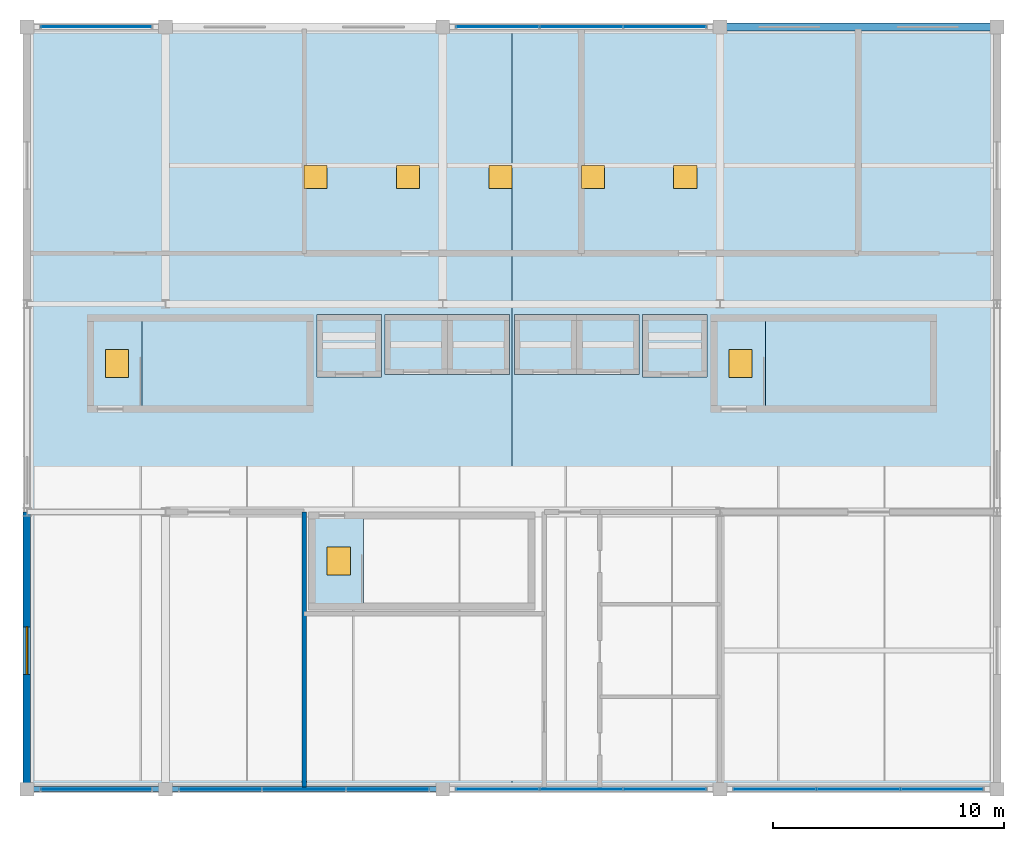
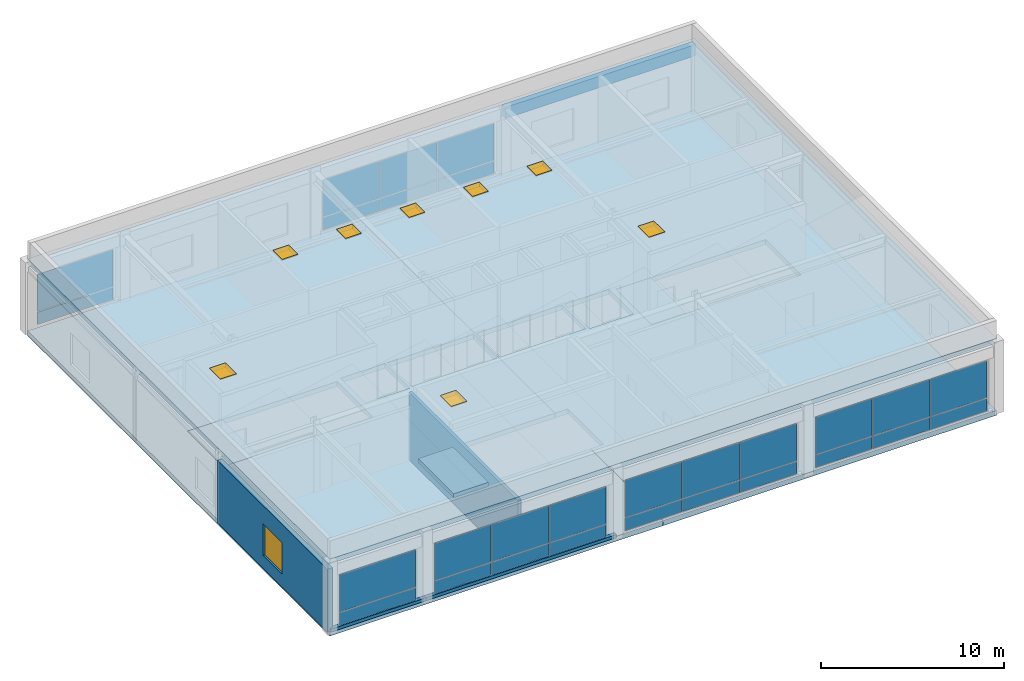
# One storey, part 12 of 16: 28 plates, 8 doors, 6 slabs, 4 walls, 1 beam, 1 window, 9 openings, 6 elements without a shape of their own.
"""IFC4 building model written with IfcOpenShell, lengths in metres."""

from ifc_helpers import new_model, si_unit, direction, frame, frame_2d, origin, origin_2d, place, context, subcontext, project, spatial, polyline, rectangle, outline, extrude, material, layer, layer_set, material_profile, profile_set, type_object, element, fill, aggregate, save


model = new_model("IFC4")

# Units and contexts
model_context = context("Model", 3, precision=1e-05, world=origin(), true_north=direction((0.0, 1.0)))
body_context = subcontext(model_context, "Body", "Model", "MODEL_VIEW")
ifc_project = project(units=[si_unit("LENGTHUNIT", "METRE"), si_unit("AREAUNIT", "SQUARE_METRE"), si_unit("VOLUMEUNIT", "CUBIC_METRE"), si_unit("PLANEANGLEUNIT", "RADIAN"), si_unit("MASSUNIT", "GRAM", prefix="KILO")], contexts=[model_context])

# Site, building, storey
site_placement = place(None, origin())
site = spatial("IfcSite", under=ifc_project, at=site_placement, CompositionType="ELEMENT")
building_placement = place(site_placement, origin())
building = spatial("IfcBuilding", under=site, at=building_placement, Name="Kaldorvane Square Convention Centre", CompositionType="ELEMENT")
storey_placement = place(building_placement, frame((0.0, 0.0, 70.80000305175781)))
storey = spatial("IfcBuildingStorey", under=building, at=storey_placement, Name="L17", CompositionType="ELEMENT", Elevation=70.80000305175781)

# Beam
ifc_material_1 = material(Name="Concrete f'c = 42 MPa (Normalweight)", Category="concrete")
ifc_material_profile = material_profile(ifc_material_1, rectangle(XDim=0.350006103515625, YDim=0.75, at=origin_2d()), Name="RCSP750X350")
ifc_profile_set = profile_set([ifc_material_profile], Name="Concrete f'c = 42 MPa (Normalweight)")
beam_type = type_object("IfcBeamType", Name="BM-SP-RC750", PredefinedType="SPANDREL", material=ifc_profile_set)
beam_placement = place(storey_placement, frame((66.0, 117.0, 4.1009979248046875), z_axis=(1.0, 0.0, 0.0), x_axis=(0.0, 1.0, 0.0)))
element("IfcBeam", 1, at=beam_placement, inside=storey, type_object=beam_type, Name="Perimeter Spandrel (L17)", PredefinedType="SPANDREL", context=body_context, shape_type="SweptSolid", body=[
    extrude(rectangle(XDim=0.350006103515625, YDim=0.75, at=origin_2d()), origin(), (0.0, 0.0, 1.0), 12.0),
])

# Curtain wall, plates
ifc_material_2 = material(Name="Anodized Aluminum and Low-E Insulated Glazing", Category="aluminium")
curtain_wall_type_1 = type_object("IfcCurtainWallType", Name="CW-UNI-PNT-06", PredefinedType="USERDEFINED", material=ifc_material_2)
curtain_wall_1_placement = place(storey_placement, origin())
curtain_wall_1 = element("IfcCurtainWall", 2, at=curtain_wall_1_placement, inside=storey, type_object=curtain_wall_type_1, Name="Curtain Wall CW-13 (L17)", ObjectType="UNITISED GLAZING", PredefinedType="USERDEFINED")
ifc_layer_1 = layer(ifc_material_2, 0.0420074462890625)
ifc_layer_set_1 = layer_set([ifc_layer_1], Name="Anodized Aluminum and Low-E Insulated Glazing")
plate_type = type_object("IfcPlateType", Name="CW-PNL-08", PredefinedType="CURTAIN_PANEL", material=ifc_layer_set_1)
plate_1_placement = place(storey_placement, frame((39.0, 84.0, 0.2050018310546875), z_axis=(0.0, 0.0, 1.0), x_axis=(1.0, 0.0, 0.0)))
plate_1 = element("IfcPlate", 3, at=plate_1_placement, type_object=plate_type, Name="CW-13 panel 1.1", PredefinedType="CURTAIN_PANEL", context=body_context, shape_type="SweptSolid", body=[
    extrude(rectangle(XDim=4.779998779296875, YDim=0.0420074462890625, at=origin_2d()), origin(), (0.0, 0.0, 1.0), 0.8175048828125),
])
plate_2_placement = place(storey_placement, frame((39.0, 84.0, 1.0774993896484375), z_axis=(0.0, 0.0, 1.0), x_axis=(1.0, 0.0, 0.0)))
plate_2 = element("IfcPlate", 4, at=plate_2_placement, type_object=plate_type, Name="CW-13 panel 1.2", PredefinedType="CURTAIN_PANEL", context=body_context, shape_type="SweptSolid", body=[
    extrude(rectangle(XDim=4.779998779296875, YDim=0.0420074462890625, at=origin_2d()), origin(), (0.0, 0.0, 1.0), 2.467498779296875),
])
aggregate(curtain_wall_1, [plate_1, plate_2])

curtain_wall_type_2 = type_object("IfcCurtainWallType", Name="CW-UNI-PNT-12", PredefinedType="USERDEFINED", material=ifc_material_2)
curtain_wall_2_placement = place(storey_placement, origin())
curtain_wall_2 = element("IfcCurtainWall", 5, at=curtain_wall_2_placement, inside=storey, type_object=curtain_wall_type_2, Name="Curtain Wall CW-12 (L17)", ObjectType="UNITISED GLAZING", PredefinedType="USERDEFINED")
plate_3_placement = place(storey_placement, frame((44.38166809082031, 84.0, 0.2050018310546875), z_axis=(0.0, 0.0, 1.0), x_axis=(1.0, 0.0, 0.0)))
plate_3 = element("IfcPlate", 6, at=plate_3_placement, type_object=plate_type, Name="CW-12 panel 1.1", PredefinedType="CURTAIN_PANEL", context=body_context, shape_type="SweptSolid", body=[
    extrude(rectangle(XDim=3.5433349609375, YDim=0.0420074462890625, at=origin_2d()), origin(), (0.0, 0.0, 1.0), 0.8175048828125),
])
plate_4_placement = place(storey_placement, frame((44.38166809082031, 84.0, 1.0774993896484375), z_axis=(0.0, 0.0, 1.0), x_axis=(1.0, 0.0, 0.0)))
plate_4 = element("IfcPlate", 7, at=plate_4_placement, type_object=plate_type, Name="CW-12 panel 1.2", PredefinedType="CURTAIN_PANEL", context=body_context, shape_type="SweptSolid", body=[
    extrude(rectangle(XDim=3.5433349609375, YDim=0.0420074462890625, at=origin_2d()), origin(), (0.0, 0.0, 1.0), 2.467498779296875),
])
plate_5_placement = place(storey_placement, frame((48.0, 84.0, 0.2050018310546875), z_axis=(0.0, 0.0, 1.0), x_axis=(1.0, 0.0, 0.0)))
plate_5 = element("IfcPlate", 8, at=plate_5_placement, type_object=plate_type, Name="CW-12 panel 2.1", PredefinedType="CURTAIN_PANEL", context=body_context, shape_type="SweptSolid", body=[
    extrude(rectangle(XDim=3.573333740234375, YDim=0.0420074462890625, at=origin_2d()), origin(), (0.0, 0.0, 1.0), 0.8175048828125),
])
plate_6_placement = place(storey_placement, frame((48.0, 84.0, 1.0774993896484375), z_axis=(0.0, 0.0, 1.0), x_axis=(1.0, 0.0, 0.0)))
plate_6 = element("IfcPlate", 9, at=plate_6_placement, type_object=plate_type, Name="CW-12 panel 2.2", PredefinedType="CURTAIN_PANEL", context=body_context, shape_type="SweptSolid", body=[
    extrude(rectangle(XDim=3.573333740234375, YDim=0.0420074462890625, at=origin_2d()), origin(), (0.0, 0.0, 1.0), 2.467498779296875),
])
plate_7_placement = place(storey_placement, frame((51.61833190917969, 84.0, 0.2050018310546875), z_axis=(0.0, 0.0, 1.0), x_axis=(1.0, 0.0, 0.0)))
plate_7 = element("IfcPlate", 10, at=plate_7_placement, type_object=plate_type, Name="CW-12 panel 3.1", PredefinedType="CURTAIN_PANEL", context=body_context, shape_type="SweptSolid", body=[
    extrude(rectangle(XDim=3.5433349609375, YDim=0.0420074462890625, at=origin_2d()), origin(), (0.0, 0.0, 1.0), 0.8175048828125),
])
plate_8_placement = place(storey_placement, frame((51.61833190917969, 84.0, 1.0774993896484375), z_axis=(0.0, 0.0, 1.0), x_axis=(1.0, 0.0, 0.0)))
plate_8 = element("IfcPlate", 11, at=plate_8_placement, type_object=plate_type, Name="CW-12 panel 3.2", PredefinedType="CURTAIN_PANEL", context=body_context, shape_type="SweptSolid", body=[
    extrude(rectangle(XDim=3.5433349609375, YDim=0.0420074462890625, at=origin_2d()), origin(), (0.0, 0.0, 1.0), 2.467498779296875),
])
aggregate(curtain_wall_2, [plate_3, plate_4, plate_5, plate_6, plate_7, plate_8])

curtain_wall_3_placement = place(storey_placement, origin())
curtain_wall_3 = element("IfcCurtainWall", 12, at=curtain_wall_3_placement, inside=storey, type_object=curtain_wall_type_2, Name="Curtain Wall CW-12 (L17)", ObjectType="UNITISED GLAZING", PredefinedType="USERDEFINED")
plate_9_placement = place(storey_placement, frame((56.38166809082031, 84.0, 0.2050018310546875), z_axis=(0.0, 0.0, 1.0), x_axis=(1.0, 0.0, 0.0)))
plate_9 = element("IfcPlate", 13, at=plate_9_placement, type_object=plate_type, Name="CW-12 panel 1.1", PredefinedType="CURTAIN_PANEL", context=body_context, shape_type="SweptSolid", body=[
    extrude(rectangle(XDim=3.5433349609375, YDim=0.0420074462890625, at=origin_2d()), origin(), (0.0, 0.0, 1.0), 0.8175048828125),
])
plate_10_placement = place(storey_placement, frame((56.38166809082031, 84.0, 1.0774993896484375), z_axis=(0.0, 0.0, 1.0), x_axis=(1.0, 0.0, 0.0)))
plate_10 = element("IfcPlate", 14, at=plate_10_placement, type_object=plate_type, Name="CW-12 panel 1.2", PredefinedType="CURTAIN_PANEL", context=body_context, shape_type="SweptSolid", body=[
    extrude(rectangle(XDim=3.5433349609375, YDim=0.0420074462890625, at=origin_2d()), origin(), (0.0, 0.0, 1.0), 2.467498779296875),
])
plate_11_placement = place(storey_placement, frame((60.0, 84.0, 0.2050018310546875), z_axis=(0.0, 0.0, 1.0), x_axis=(1.0, 0.0, 0.0)))
plate_11 = element("IfcPlate", 15, at=plate_11_placement, type_object=plate_type, Name="CW-12 panel 2.1", PredefinedType="CURTAIN_PANEL", context=body_context, shape_type="SweptSolid", body=[
    extrude(rectangle(XDim=3.573333740234375, YDim=0.0420074462890625, at=origin_2d()), origin(), (0.0, 0.0, 1.0), 0.8175048828125),
])
plate_12_placement = place(storey_placement, frame((60.0, 84.0, 1.0774993896484375), z_axis=(0.0, 0.0, 1.0), x_axis=(1.0, 0.0, 0.0)))
plate_12 = element("IfcPlate", 16, at=plate_12_placement, type_object=plate_type, Name="CW-12 panel 2.2", PredefinedType="CURTAIN_PANEL", context=body_context, shape_type="SweptSolid", body=[
    extrude(rectangle(XDim=3.573333740234375, YDim=0.0420074462890625, at=origin_2d()), origin(), (0.0, 0.0, 1.0), 2.467498779296875),
])
plate_13_placement = place(storey_placement, frame((63.61833190917969, 84.0, 0.2050018310546875), z_axis=(0.0, 0.0, 1.0), x_axis=(1.0, 0.0, 0.0)))
plate_13 = element("IfcPlate", 17, at=plate_13_placement, type_object=plate_type, Name="CW-12 panel 3.1", PredefinedType="CURTAIN_PANEL", context=body_context, shape_type="SweptSolid", body=[
    extrude(rectangle(XDim=3.5433349609375, YDim=0.0420074462890625, at=origin_2d()), origin(), (0.0, 0.0, 1.0), 0.8175048828125),
])
plate_14_placement = place(storey_placement, frame((63.61833190917969, 84.0, 1.0774993896484375), z_axis=(0.0, 0.0, 1.0), x_axis=(1.0, 0.0, 0.0)))
plate_14 = element("IfcPlate", 18, at=plate_14_placement, type_object=plate_type, Name="CW-12 panel 3.2", PredefinedType="CURTAIN_PANEL", context=body_context, shape_type="SweptSolid", body=[
    extrude(rectangle(XDim=3.5433349609375, YDim=0.0420074462890625, at=origin_2d()), origin(), (0.0, 0.0, 1.0), 2.467498779296875),
])
aggregate(curtain_wall_3, [plate_9, plate_10, plate_11, plate_12, plate_13, plate_14])

curtain_wall_4_placement = place(storey_placement, origin())
curtain_wall_4 = element("IfcCurtainWall", 19, at=curtain_wall_4_placement, inside=storey, type_object=curtain_wall_type_2, Name="Curtain Wall CW-12 (L17)", ObjectType="UNITISED GLAZING", PredefinedType="USERDEFINED")
plate_15_placement = place(storey_placement, frame((68.38166809082031, 84.0, 0.2050018310546875), z_axis=(0.0, 0.0, 1.0), x_axis=(1.0, 0.0, 0.0)))
plate_15 = element("IfcPlate", 20, at=plate_15_placement, type_object=plate_type, Name="CW-12 panel 1.1", PredefinedType="CURTAIN_PANEL", context=body_context, shape_type="SweptSolid", body=[
    extrude(rectangle(XDim=3.5433349609375, YDim=0.0420074462890625, at=origin_2d()), origin(), (0.0, 0.0, 1.0), 0.8175048828125),
])
plate_16_placement = place(storey_placement, frame((68.38166809082031, 84.0, 1.0774993896484375), z_axis=(0.0, 0.0, 1.0), x_axis=(1.0, 0.0, 0.0)))
plate_16 = element("IfcPlate", 21, at=plate_16_placement, type_object=plate_type, Name="CW-12 panel 1.2", PredefinedType="CURTAIN_PANEL", context=body_context, shape_type="SweptSolid", body=[
    extrude(rectangle(XDim=3.5433349609375, YDim=0.0420074462890625, at=origin_2d()), origin(), (0.0, 0.0, 1.0), 2.467498779296875),
])
plate_17_placement = place(storey_placement, frame((72.0, 84.0, 0.2050018310546875), z_axis=(0.0, 0.0, 1.0), x_axis=(1.0, 0.0, 0.0)))
plate_17 = element("IfcPlate", 22, at=plate_17_placement, type_object=plate_type, Name="CW-12 panel 2.1", PredefinedType="CURTAIN_PANEL", context=body_context, shape_type="SweptSolid", body=[
    extrude(rectangle(XDim=3.573333740234375, YDim=0.0420074462890625, at=origin_2d()), origin(), (0.0, 0.0, 1.0), 0.8175048828125),
])
plate_18_placement = place(storey_placement, frame((72.0, 84.0, 1.0774993896484375), z_axis=(0.0, 0.0, 1.0), x_axis=(1.0, 0.0, 0.0)))
plate_18 = element("IfcPlate", 23, at=plate_18_placement, type_object=plate_type, Name="CW-12 panel 2.2", PredefinedType="CURTAIN_PANEL", context=body_context, shape_type="SweptSolid", body=[
    extrude(rectangle(XDim=3.573333740234375, YDim=0.0420074462890625, at=origin_2d()), origin(), (0.0, 0.0, 1.0), 2.467498779296875),
])
plate_19_placement = place(storey_placement, frame((75.61833190917969, 84.0, 0.2050018310546875), z_axis=(0.0, 0.0, 1.0), x_axis=(1.0, 0.0, 0.0)))
plate_19 = element("IfcPlate", 24, at=plate_19_placement, type_object=plate_type, Name="CW-12 panel 3.1", PredefinedType="CURTAIN_PANEL", context=body_context, shape_type="SweptSolid", body=[
    extrude(rectangle(XDim=3.5433349609375, YDim=0.0420074462890625, at=origin_2d()), origin(), (0.0, 0.0, 1.0), 0.8175048828125),
])
plate_20_placement = place(storey_placement, frame((75.61833190917969, 84.0, 1.0774993896484375), z_axis=(0.0, 0.0, 1.0), x_axis=(1.0, 0.0, 0.0)))
plate_20 = element("IfcPlate", 25, at=plate_20_placement, type_object=plate_type, Name="CW-12 panel 3.2", PredefinedType="CURTAIN_PANEL", context=body_context, shape_type="SweptSolid", body=[
    extrude(rectangle(XDim=3.5433349609375, YDim=0.0420074462890625, at=origin_2d()), origin(), (0.0, 0.0, 1.0), 2.467498779296875),
])
aggregate(curtain_wall_4, [plate_15, plate_16, plate_17, plate_18, plate_19, plate_20])

curtain_wall_5_placement = place(storey_placement, origin())
curtain_wall_5 = element("IfcCurtainWall", 26, at=curtain_wall_5_placement, inside=storey, type_object=curtain_wall_type_1, Name="Curtain Wall CW-13 (L17)", ObjectType="UNITISED GLAZING", PredefinedType="USERDEFINED")
plate_21_placement = place(storey_placement, frame((39.0, 117.0, 0.2050018310546875), z_axis=(0.0, 0.0, 1.0), x_axis=(-1.0, 0.0, 0.0)))
plate_21 = element("IfcPlate", 27, at=plate_21_placement, type_object=plate_type, Name="CW-13 panel 1.1", PredefinedType="CURTAIN_PANEL", context=body_context, shape_type="SweptSolid", body=[
    extrude(rectangle(XDim=4.779998779296875, YDim=0.0420074462890625, at=origin_2d()), origin(), (0.0, 0.0, 1.0), 0.8175048828125),
])
plate_22_placement = place(storey_placement, frame((39.0, 117.0, 1.0774993896484375), z_axis=(0.0, 0.0, 1.0), x_axis=(-1.0, 0.0, 0.0)))
plate_22 = element("IfcPlate", 28, at=plate_22_placement, type_object=plate_type, Name="CW-13 panel 1.2", PredefinedType="CURTAIN_PANEL", context=body_context, shape_type="SweptSolid", body=[
    extrude(rectangle(XDim=4.779998779296875, YDim=0.0420074462890625, at=origin_2d()), origin(), (0.0, 0.0, 1.0), 2.467498779296875),
])
aggregate(curtain_wall_5, [plate_21, plate_22])

curtain_wall_6_placement = place(storey_placement, origin())
curtain_wall_6 = element("IfcCurtainWall", 29, at=curtain_wall_6_placement, inside=storey, type_object=curtain_wall_type_2, Name="Curtain Wall CW-12 (L17)", ObjectType="UNITISED GLAZING", PredefinedType="USERDEFINED")
plate_23_placement = place(storey_placement, frame((63.61833190917969, 117.0, 0.2050018310546875), z_axis=(0.0, 0.0, 1.0), x_axis=(-1.0, 0.0, 0.0)))
plate_23 = element("IfcPlate", 30, at=plate_23_placement, type_object=plate_type, Name="CW-12 panel 1.1", PredefinedType="CURTAIN_PANEL", context=body_context, shape_type="SweptSolid", body=[
    extrude(rectangle(XDim=3.5433349609375, YDim=0.0420074462890625, at=origin_2d()), origin(), (0.0, 0.0, 1.0), 0.8175048828125),
])
plate_24_placement = place(storey_placement, frame((63.61833190917969, 117.0, 1.0774993896484375), z_axis=(0.0, 0.0, 1.0), x_axis=(-1.0, 0.0, 0.0)))
plate_24 = element("IfcPlate", 31, at=plate_24_placement, type_object=plate_type, Name="CW-12 panel 1.2", PredefinedType="CURTAIN_PANEL", context=body_context, shape_type="SweptSolid", body=[
    extrude(rectangle(XDim=3.5433349609375, YDim=0.0420074462890625, at=origin_2d()), origin(), (0.0, 0.0, 1.0), 2.467498779296875),
])
plate_25_placement = place(storey_placement, frame((60.0, 117.0, 0.2050018310546875), z_axis=(0.0, 0.0, 1.0), x_axis=(-1.0, 0.0, 0.0)))
plate_25 = element("IfcPlate", 32, at=plate_25_placement, type_object=plate_type, Name="CW-12 panel 2.1", PredefinedType="CURTAIN_PANEL", context=body_context, shape_type="SweptSolid", body=[
    extrude(rectangle(XDim=3.573333740234375, YDim=0.0420074462890625, at=origin_2d()), origin(), (0.0, 0.0, 1.0), 0.8175048828125),
])
plate_26_placement = place(storey_placement, frame((60.0, 117.0, 1.0774993896484375), z_axis=(0.0, 0.0, 1.0), x_axis=(-1.0, 0.0, 0.0)))
plate_26 = element("IfcPlate", 33, at=plate_26_placement, type_object=plate_type, Name="CW-12 panel 2.2", PredefinedType="CURTAIN_PANEL", context=body_context, shape_type="SweptSolid", body=[
    extrude(rectangle(XDim=3.573333740234375, YDim=0.0420074462890625, at=origin_2d()), origin(), (0.0, 0.0, 1.0), 2.467498779296875),
])
plate_27_placement = place(storey_placement, frame((56.38166809082031, 117.0, 0.2050018310546875), z_axis=(0.0, 0.0, 1.0), x_axis=(-1.0, 0.0, 0.0)))
plate_27 = element("IfcPlate", 34, at=plate_27_placement, type_object=plate_type, Name="CW-12 panel 3.1", PredefinedType="CURTAIN_PANEL", context=body_context, shape_type="SweptSolid", body=[
    extrude(rectangle(XDim=3.5433349609375, YDim=0.0420074462890625, at=origin_2d()), origin(), (0.0, 0.0, 1.0), 0.8175048828125),
])
plate_28_placement = place(storey_placement, frame((56.38166809082031, 117.0, 1.0774993896484375), z_axis=(0.0, 0.0, 1.0), x_axis=(-1.0, 0.0, 0.0)))
plate_28 = element("IfcPlate", 35, at=plate_28_placement, type_object=plate_type, Name="CW-12 panel 3.2", PredefinedType="CURTAIN_PANEL", context=body_context, shape_type="SweptSolid", body=[
    extrude(rectangle(XDim=3.5433349609375, YDim=0.0420074462890625, at=origin_2d()), origin(), (0.0, 0.0, 1.0), 2.467498779296875),
])
aggregate(curtain_wall_6, [plate_23, plate_24, plate_25, plate_26, plate_27, plate_28])

# Slabs
ifc_layer_2 = layer(ifc_material_1, 0.279998779296875)
ifc_layer_set_2 = layer_set([ifc_layer_2], Name="Concrete f'c = 42 MPa (Normalweight)")
slab_type_1 = type_object("IfcSlabType", Name="SL-FLND-280", PredefinedType="FLOOR", material=ifc_layer_set_2)
slab_1_placement = place(storey_placement, frame((0.0, 0.0, -0.279998779296875)))
element("IfcSlab", 36, at=slab_1_placement, inside=storey, type_object=slab_type_1, Name="Tower Exit Stair T1 Floor Landing (L17)", PredefinedType="FLOOR", context=body_context, shape_type="SweptSolid", body=[
    extrude(outline(polyline([(38.779998779296875, 100.49000549316406), (40.97999572753906, 100.49000549316406), (40.97999572753906, 104.3699951171875), (38.779998779296875, 104.3699951171875), (38.779998779296875, 100.49000549316406)])), origin(), (0.0, 0.0, 1.0), 0.279998779296875),
])
slab_2_placement = place(storey_placement, frame((0.0, 0.0, -0.279998779296875)))
element("IfcSlab", 37, at=slab_2_placement, inside=storey, type_object=slab_type_1, Name="Tower Exit Stair T2 Floor Landing (L17)", PredefinedType="FLOOR", context=body_context, shape_type="SweptSolid", body=[
    extrude(outline(polyline([(65.77999877929688, 100.49000549316406), (67.97999572753906, 100.49000549316406), (67.97999572753906, 104.3699951171875), (65.77999877929688, 104.3699951171875), (65.77999877929688, 100.49000549316406)])), origin(), (0.0, 0.0, 1.0), 0.279998779296875),
])
slab_3_placement = place(storey_placement, frame((0.0, 0.0, -0.279998779296875)))
element("IfcSlab", 38, at=slab_3_placement, inside=storey, type_object=slab_type_1, Name="Tower Exit Stair T3 Floor Landing (L17)", PredefinedType="FLOOR", context=body_context, shape_type="SweptSolid", body=[
    extrude(outline(polyline([(48.3800048828125, 91.94000244140625), (50.58000183105469, 91.94000244140625), (50.58000183105469, 95.82000732421875), (48.3800048828125, 95.82000732421875), (48.3800048828125, 91.94000244140625)])), origin(), (0.0, 0.0, 1.0), 0.279998779296875),
])
ifc_layer_3 = layer(ifc_material_1, 0.32000732421875)
ifc_layer_set_3 = layer_set([ifc_layer_3], Name="Concrete f'c = 42 MPa (Normalweight)")
slab_type_2 = type_object("IfcSlabType", Name="SL-POD-300", PredefinedType="FLOOR", material=ifc_layer_set_3)
slab_4_placement = place(storey_placement, frame((0.0, 0.0, -0.32000732421875)))
element("IfcSlab", 39, at=slab_4_placement, inside=storey, type_object=slab_type_2, Name="Hotel Tower Floor Slab L17-1.1", PredefinedType="FLOOR", context=body_context, shape_type="SweptSolid", body=[
    extrude(outline(polyline([(36.0, 117.0), (57.0, 117.0), (57.0, 95.82000732421875), (48.3800048828125, 95.82000732421875), (48.3800048828125, 91.94000244140625), (57.0, 91.94000244140625), (57.0, 84.0), (36.0, 84.0), (36.0, 117.0)]), holes=[polyline([(38.779998779296875, 104.3699951171875), (38.779998779296875, 100.49000549316406), (48.220001220703125, 100.49000549316406), (48.220001220703125, 104.3699951171875), (38.779998779296875, 104.3699951171875)]), polyline([(48.55000305175781, 104.55000305175781), (48.55000305175781, 101.85000610351562), (51.350006103515625, 101.85000610351562), (51.350006103515625, 104.55000305175781), (48.55000305175781, 104.55000305175781)]), polyline([(51.5, 104.55000305175781), (51.5, 101.94999694824219), (54.19999694824219, 101.94999694824219), (56.899993896484375, 101.94999694824219), (56.899993896484375, 104.55000305175781), (54.19999694824219, 104.55000305175781), (51.5, 104.55000305175781)])]), origin(), (0.0, 0.0, 1.0), 0.32000732421875),
])
slab_5_placement = place(storey_placement, frame((0.0, 0.0, -0.32000732421875)))
element("IfcSlab", 40, at=slab_5_placement, inside=storey, type_object=slab_type_2, Name="Hotel Tower Floor Slab L17-2.1", PredefinedType="FLOOR", context=body_context, shape_type="SweptSolid", body=[
    extrude(outline(polyline([(78.0, 117.0), (78.0, 84.0), (57.0, 84.0), (57.0, 91.94000244140625), (57.82000732421875, 91.94000244140625), (57.82000732421875, 95.82000732421875), (57.0, 95.82000732421875), (57.0, 117.0), (78.0, 117.0)]), holes=[polyline([(65.77999877929688, 104.3699951171875), (65.77999877929688, 100.49000549316406), (75.22000122070312, 100.49000549316406), (75.22000122070312, 104.3699951171875), (65.77999877929688, 104.3699951171875)]), polyline([(62.649993896484375, 104.55000305175781), (62.649993896484375, 101.85000610351562), (65.44999694824219, 101.85000610351562), (65.44999694824219, 104.55000305175781), (62.649993896484375, 104.55000305175781)]), polyline([(57.100006103515625, 104.55000305175781), (57.100006103515625, 101.94999694824219), (59.80000305175781, 101.94999694824219), (62.5, 101.94999694824219), (62.5, 104.55000305175781), (59.80000305175781, 104.55000305175781), (57.100006103515625, 104.55000305175781)])]), origin(), (0.0, 0.0, 1.0), 0.32000732421875),
])

# Slab, openings, doors
slab_6_placement = place(storey_placement, frame((0.0, 0.0, 4.4799957275390625)))
slab_6 = element("IfcSlab", 41, at=slab_6_placement, inside=storey, type_object=slab_type_2, Name="Hotel Tower Attic Structural Ceiling Slab", PredefinedType="FLOOR", context=body_context, shape_type="SweptSolid", body=[
    extrude(outline(polyline([(36.0, 84.0), (78.0, 84.0), (78.0, 117.0), (36.0, 117.0), (36.0, 84.0)])), origin(), (0.0, 0.0, 1.0), 0.32000732421875),
])
opening_1_placement = place(slab_6_placement, frame((39.899993896484375, 102.42999267578125, 0.0)))
opening_1 = element("IfcOpeningElement", 42, at=opening_1_placement, cuts=slab_6, Name="Opening RH-01", PredefinedType="OPENING", context=body_context, shape_type="SweptSolid", body=[
    extrude(rectangle(XDim=1.0, YDim=1.1999969482421875, at=origin_2d()), origin(), (0.0, 0.0, 1.0), 0.32000732421875),
])
opening_2_placement = place(slab_6_placement, frame((66.89999389648438, 102.42999267578125, 0.0)))
opening_2 = element("IfcOpeningElement", 43, at=opening_2_placement, cuts=slab_6, Name="Opening RH-01", PredefinedType="OPENING", context=body_context, shape_type="SweptSolid", body=[
    extrude(rectangle(XDim=1.0, YDim=1.1999969482421875, at=origin_2d()), origin(), (0.0, 0.0, 1.0), 0.32000732421875),
])
opening_3_placement = place(slab_6_placement, frame((49.5, 93.8800048828125, 0.0)))
opening_3 = element("IfcOpeningElement", 44, at=opening_3_placement, cuts=slab_6, Name="Opening RH-01", PredefinedType="OPENING", context=body_context, shape_type="SweptSolid", body=[
    extrude(rectangle(XDim=1.0, YDim=1.1999969482421875, at=origin_2d()), origin(), (0.0, 0.0, 1.0), 0.32000732421875),
])
opening_4_placement = place(slab_6_placement, frame((48.5, 110.5, 0.0)))
opening_4 = element("IfcOpeningElement", 45, at=opening_4_placement, cuts=slab_6, Name="Opening TD-R1", PredefinedType="OPENING", context=body_context, shape_type="SweptSolid", body=[
    extrude(rectangle(XDim=1.0, YDim=1.0, at=origin_2d()), origin(), (0.0, 0.0, 1.0), 0.32000732421875),
])
opening_5_placement = place(slab_6_placement, frame((52.5, 110.5, 0.0)))
opening_5 = element("IfcOpeningElement", 46, at=opening_5_placement, cuts=slab_6, Name="Opening TD-R1", PredefinedType="OPENING", context=body_context, shape_type="SweptSolid", body=[
    extrude(rectangle(XDim=1.0, YDim=1.0, at=origin_2d()), origin(), (0.0, 0.0, 1.0), 0.32000732421875),
])
opening_6_placement = place(slab_6_placement, frame((56.5, 110.5, 0.0)))
opening_6 = element("IfcOpeningElement", 47, at=opening_6_placement, cuts=slab_6, Name="Opening TD-R1", PredefinedType="OPENING", context=body_context, shape_type="SweptSolid", body=[
    extrude(rectangle(XDim=1.0, YDim=1.0, at=origin_2d()), origin(), (0.0, 0.0, 1.0), 0.32000732421875),
])
opening_7_placement = place(slab_6_placement, frame((60.5, 110.5, 0.0)))
opening_7 = element("IfcOpeningElement", 48, at=opening_7_placement, cuts=slab_6, Name="Opening TD-R1", PredefinedType="OPENING", context=body_context, shape_type="SweptSolid", body=[
    extrude(rectangle(XDim=1.0, YDim=1.0, at=origin_2d()), origin(), (0.0, 0.0, 1.0), 0.32000732421875),
])
opening_8_placement = place(slab_6_placement, frame((64.5, 110.5, 0.0)))
opening_8 = element("IfcOpeningElement", 49, at=opening_8_placement, cuts=slab_6, Name="Opening TD-R1", PredefinedType="OPENING", context=body_context, shape_type="SweptSolid", body=[
    extrude(rectangle(XDim=1.0, YDim=1.0, at=origin_2d()), origin(), (0.0, 0.0, 1.0), 0.32000732421875),
])
ifc_material_3 = material(Name="Fire-Rated Hollow Metal Steel", Category="steel")
door_type_1 = type_object("IfcDoorType", Name="DR-HATCH-1000", OperationType="SWING_FIXED_LEFT", PredefinedType="TRAPDOOR", material=ifc_material_3)
door_1_placement = place(opening_1_placement, frame((0.0, 0.0, 0.2700042724609375)))
door_1 = element("IfcDoor", 50, at=door_1_placement, inside=storey, type_object=door_type_1, Name="Roof Access Hatch ST-T1", OperationType="SWING_FIXED_LEFT", OverallHeight=1.1999969482421875, OverallWidth=1.0, PredefinedType="TRAPDOOR", context=body_context, shape_type="SweptSolid", body=[
    extrude(rectangle(XDim=1.0, YDim=1.1999969482421875, at=origin_2d()), origin(), (0.0, 0.0, 1.0), 0.0500030517578125),
])
fill(opening_1, door_1)
door_2_placement = place(opening_2_placement, frame((0.0, 0.0, 0.2700042724609375)))
door_2 = element("IfcDoor", 51, at=door_2_placement, inside=storey, type_object=door_type_1, Name="Roof Access Hatch ST-T2", OperationType="SWING_FIXED_LEFT", OverallHeight=1.1999969482421875, OverallWidth=1.0, PredefinedType="TRAPDOOR", context=body_context, shape_type="SweptSolid", body=[
    extrude(rectangle(XDim=1.0, YDim=1.1999969482421875, at=origin_2d()), origin(), (0.0, 0.0, 1.0), 0.0500030517578125),
])
fill(opening_2, door_2)
door_3_placement = place(opening_3_placement, frame((0.0, 0.0, 0.2700042724609375)))
door_3 = element("IfcDoor", 52, at=door_3_placement, inside=storey, type_object=door_type_1, Name="Roof Access Hatch ST-T3", OperationType="SWING_FIXED_LEFT", OverallHeight=1.1999969482421875, OverallWidth=1.0, PredefinedType="TRAPDOOR", context=body_context, shape_type="SweptSolid", body=[
    extrude(rectangle(XDim=1.0, YDim=1.1999969482421875, at=origin_2d()), origin(), (0.0, 0.0, 1.0), 0.0500030517578125),
])
fill(opening_3, door_3)
ifc_material_4 = material(Name="Insulated Hollow Metal Steel", Category="steel")
door_type_2 = type_object("IfcDoorType", Name="DR-TRAP-1000X1000", OperationType="SINGLE_SWING_LEFT", PredefinedType="TRAPDOOR", material=ifc_material_4)
door_4_placement = place(opening_4_placement, frame((0.0, 0.0, 0.2700042724609375)))
door_4 = element("IfcDoor", 53, at=door_4_placement, inside=storey, type_object=door_type_2, Name="Crown Roof Maintenance Hatch 1", OperationType="SINGLE_SWING_LEFT", OverallHeight=1.0, OverallWidth=1.0, PredefinedType="TRAPDOOR", context=body_context, shape_type="SweptSolid", body=[
    extrude(rectangle(XDim=1.0, YDim=1.0, at=origin_2d()), origin(), (0.0, 0.0, 1.0), 0.0500030517578125),
])
fill(opening_4, door_4)
door_5_placement = place(opening_5_placement, frame((0.0, 0.0, 0.2700042724609375)))
door_5 = element("IfcDoor", 54, at=door_5_placement, inside=storey, type_object=door_type_2, Name="Crown Roof Maintenance Hatch 2", OperationType="SINGLE_SWING_LEFT", OverallHeight=1.0, OverallWidth=1.0, PredefinedType="TRAPDOOR", context=body_context, shape_type="SweptSolid", body=[
    extrude(rectangle(XDim=1.0, YDim=1.0, at=origin_2d()), origin(), (0.0, 0.0, 1.0), 0.0500030517578125),
])
fill(opening_5, door_5)
door_6_placement = place(opening_6_placement, frame((0.0, 0.0, 0.2700042724609375)))
door_6 = element("IfcDoor", 55, at=door_6_placement, inside=storey, type_object=door_type_2, Name="Crown Roof Maintenance Hatch 3", OperationType="SINGLE_SWING_LEFT", OverallHeight=1.0, OverallWidth=1.0, PredefinedType="TRAPDOOR", context=body_context, shape_type="SweptSolid", body=[
    extrude(rectangle(XDim=1.0, YDim=1.0, at=origin_2d()), origin(), (0.0, 0.0, 1.0), 0.0500030517578125),
])
fill(opening_6, door_6)
door_7_placement = place(opening_7_placement, frame((0.0, 0.0, 0.2700042724609375)))
door_7 = element("IfcDoor", 56, at=door_7_placement, inside=storey, type_object=door_type_2, Name="Crown Roof Maintenance Hatch 4", OperationType="SINGLE_SWING_LEFT", OverallHeight=1.0, OverallWidth=1.0, PredefinedType="TRAPDOOR", context=body_context, shape_type="SweptSolid", body=[
    extrude(rectangle(XDim=1.0, YDim=1.0, at=origin_2d()), origin(), (0.0, 0.0, 1.0), 0.0500030517578125),
])
fill(opening_7, door_7)
door_8_placement = place(opening_8_placement, frame((0.0, 0.0, 0.2700042724609375)))
door_8 = element("IfcDoor", 57, at=door_8_placement, inside=storey, type_object=door_type_2, Name="Crown Roof Maintenance Hatch 5", OperationType="SINGLE_SWING_LEFT", OverallHeight=1.0, OverallWidth=1.0, PredefinedType="TRAPDOOR", context=body_context, shape_type="SweptSolid", body=[
    extrude(rectangle(XDim=1.0, YDim=1.0, at=origin_2d()), origin(), (0.0, 0.0, 1.0), 0.0500030517578125),
])
fill(opening_8, door_8)

# Wall
ifc_material_5 = material(Name="Fire-Rated Gypsum Board on Acoustic Steel Studs", Category="steel")
ifc_layer_4 = layer(ifc_material_5, 0.1999969482421875)
ifc_layer_set_4 = layer_set([ifc_layer_4], Name="Fire-Rated Gypsum Board on Acoustic Steel Studs")
wall_type_1 = type_object("IfcWallType", Name="WL-CORR-200", PredefinedType="PARTITIONING", material=ifc_layer_set_4)
wall_1_placement = place(storey_placement, frame((48.0, 84.08500671386719, 0.0), z_axis=(0.0, 0.0, 1.0), x_axis=(0.0, 1.0, 0.0)))
element("IfcWall", 58, at=wall_1_placement, inside=storey, type_object=wall_type_1, Name="Service Block West Wall (L17)", PredefinedType="PARTITIONING", context=body_context, shape_type="SweptSolid", body=[
    extrude(rectangle(XDim=11.914993286132812, YDim=0.1999969482421875, at=frame_2d((5.957489013671875, 0.0))), origin(), (0.0, 0.0, 1.0), 4.4799957275390625),
])

# Wall, opening, window
ifc_material_6 = material(Name="Concrete f'c = 35 MPa (Normalweight)", Category="concrete")
ifc_layer_5 = layer(ifc_material_6, 0.32000732421875)
ifc_layer_set_5 = layer_set([ifc_layer_5], Name="Concrete f'c = 35 MPa (Normalweight)")
wall_type_2 = type_object("IfcWallType", Name="WL-EXT-320", PredefinedType="STANDARD", material=ifc_layer_set_5)
wall_2_placement = place(storey_placement, frame((36.0, 96.0, 0.0), z_axis=(0.0, 0.0, 1.0), x_axis=(0.0, -1.0, 0.0)))
wall_2 = element("IfcWall", 59, at=wall_2_placement, inside=storey, type_object=wall_type_2, Name="Hotel W End Wall (L17)", PredefinedType="STANDARD", context=body_context, shape_type="SweptSolid", body=[
    extrude(rectangle(XDim=12.0, YDim=0.32000732421875, at=frame_2d((6.0, 0.0))), origin(), (0.0, 0.0, 1.0), 4.170989990234375),
])
opening_9_placement = place(wall_2_placement, frame((4.975006103515625, 0.0, 0.850006103515625)))
opening_9 = element("IfcOpeningElement", 60, at=opening_9_placement, cuts=wall_2, Name="Opening W-28", PredefinedType="OPENING", context=body_context, shape_type="SweptSolid", body=[
    extrude(rectangle(XDim=2.0500030517578125, YDim=2.100006103515625, at=frame_2d((1.024993896484375, 1.0500030517578125))), frame((0.0, 0.1750030517578125, 0.0), z_axis=(0.0, -1.0, 0.0), x_axis=(1.0, 0.0, 0.0)), (0.0, 0.0, 1.0), 0.350006103515625),
])
window_type = type_object("IfcWindowType", Name="WN-PNT-2050X2100", PartitioningType="DOUBLE_PANEL_VERTICAL", PredefinedType="WINDOW", material=ifc_material_2)
window_placement = place(opening_9_placement, origin())
window = element("IfcWindow", 61, at=window_placement, inside=storey, type_object=window_type, Name="Hotel End Window W (L17)", OverallHeight=2.100006103515625, OverallWidth=2.0500030517578125, PartitioningType="DOUBLE_PANEL_VERTICAL", PredefinedType="WINDOW", context=body_context, shape_type="SweptSolid", body=[
    extrude(rectangle(XDim=2.0500030517578125, YDim=2.100006103515625, at=frame_2d((1.024993896484375, 1.0500030517578125))), frame((0.0, 0.029998779296875, 0.0), z_axis=(0.0, -1.0, 0.0), x_axis=(1.0, 0.0, 0.0)), (0.0, 0.0, 1.0), 0.05999755859375),
])
fill(opening_9, window)

# Walls
ifc_layer_6 = layer(ifc_material_6, 0.220001220703125)
ifc_layer_set_6 = layer_set([ifc_layer_6], Name="Concrete f'c = 35 MPa (Normalweight)")
wall_type_3 = type_object("IfcWallType", Name="WL-PAR-220", PredefinedType="PARAPET", material=ifc_layer_set_6)
wall_3_placement = place(storey_placement, frame((36.0, 84.0, 0.0), z_axis=(0.0, 0.0, 1.0), x_axis=(1.0, 0.0, 0.0)))
element("IfcWall", 62, at=wall_3_placement, inside=storey, type_object=wall_type_3, Name="Penthouse Glazing Sill (S)", PredefinedType="PARAPET", context=body_context, shape_type="SweptSolid", body=[
    extrude(rectangle(XDim=6.0, YDim=0.220001220703125, at=frame_2d((3.0, 0.0))), origin(), (0.0, 0.0, 1.0), 0.1999969482421875),
])
wall_4_placement = place(storey_placement, frame((42.0, 84.0, 0.0), z_axis=(0.0, 0.0, 1.0), x_axis=(1.0, 0.0, 0.0)))
element("IfcWall", 63, at=wall_4_placement, inside=storey, type_object=wall_type_3, Name="Penthouse Glazing Sill (S)", PredefinedType="PARAPET", context=body_context, shape_type="SweptSolid", body=[
    extrude(rectangle(XDim=12.0, YDim=0.220001220703125, at=frame_2d((6.0, 0.0))), origin(), (0.0, 0.0, 1.0), 0.1999969482421875),
])

save(model, "model.ifc")
